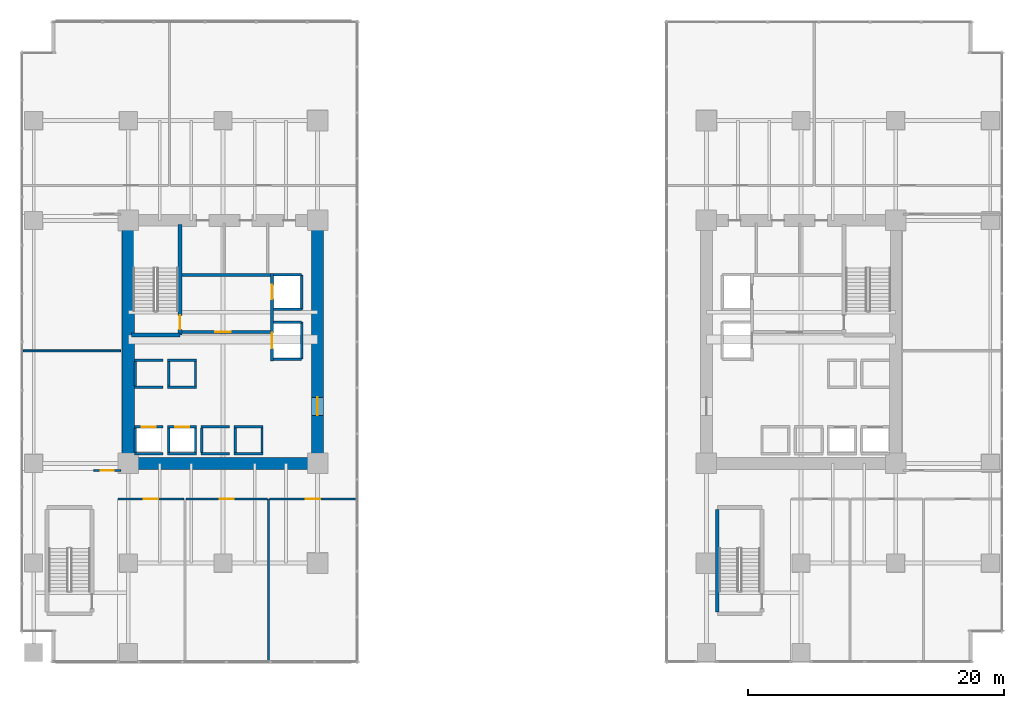
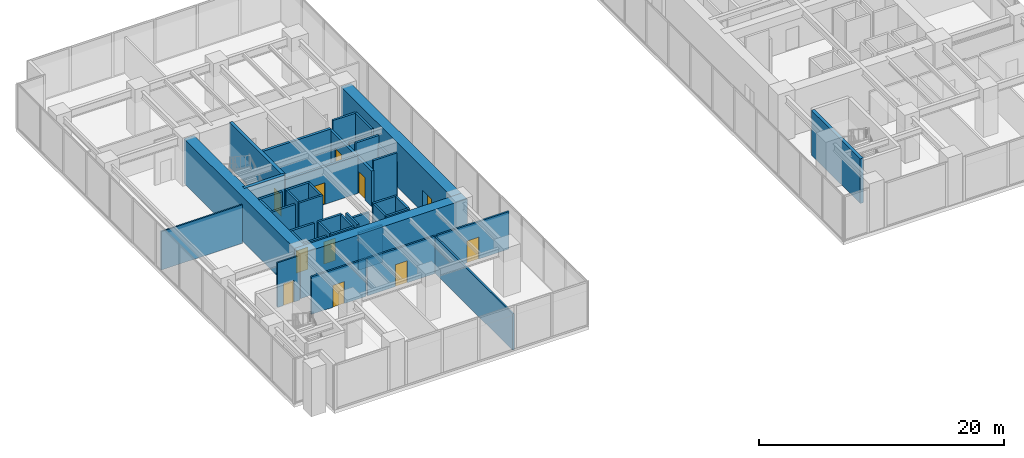
# One storey, part 25 of 33: 42 walls, 11 doors, 11 openings.
"""IFC4 building model written with IfcOpenShell, lengths in metres."""

from ifc_helpers import new_model, si_unit, direction, frame, frame_2d, origin, place, context, subcontext, project, spatial, rectangle, extrude, source, transform, mapped, material, layer, layer_set, type_object, type_shapes, element, fill, save


model = new_model("IFC4")

# Units and contexts
model_context = context("Model", 3, precision=1e-05, world=origin(), true_north=direction((0.0, 1.0)))
body_context = subcontext(model_context, "Body", "Model", "MODEL_VIEW")
ifc_project = project(units=[si_unit("LENGTHUNIT", "METRE"), si_unit("AREAUNIT", "SQUARE_METRE"), si_unit("VOLUMEUNIT", "CUBIC_METRE"), si_unit("PLANEANGLEUNIT", "RADIAN"), si_unit("MASSUNIT", "GRAM", prefix="KILO")], contexts=[model_context])

# Site, building, storey
site_placement = place(None, origin())
site = spatial("IfcSite", under=ifc_project, at=site_placement, CompositionType="ELEMENT")
building_placement = place(site_placement, origin())
building = spatial("IfcBuilding", under=site, at=building_placement, Name="Haelvirn Gate Laboratories", CompositionType="ELEMENT")
storey_placement = place(building_placement, frame((0.0, 0.0, 10.199951171875)))
storey = spatial("IfcBuildingStorey", under=building, at=storey_placement, Name="L03", CompositionType="ELEMENT", Elevation=10.199951171875)

# Wall
ifc_material_1 = material(Name="Acoustic mineral-wool gypsum board partition", Category="gypsum")
ifc_layer_1 = layer(ifc_material_1, 0.139892578125, Name="IW-PART-140")
ifc_layer_set_1 = layer_set([ifc_layer_1], Name="Acoustic mineral-wool gypsum board partition")
wall_type_1 = type_object("IfcWallType", Name="IW-PART-140", PredefinedType="PARTITIONING", material=ifc_layer_set_1)
wall_1_placement = place(storey_placement, frame((-0.85009765625, 23.60009765625, 0.0), z_axis=(0.0, 0.0, 1.0), x_axis=(1.0, 0.0, 0.0)))
element("IfcWall", 1, at=wall_1_placement, inside=storey, type_object=wall_type_1, Name="L03 Interior Wall IW-L03-PODOUT-MID-W", PredefinedType="PARTITIONING", context=body_context, shape_type="SweptSolid", body=[
    extrude(rectangle(XDim=7.650146484375, YDim=0.139892578125, at=frame_2d((3.8251953125, 0.0))), origin(), (0.0, 0.0, 1.0), 3.8349609375),
])

# Wall, opening, door
wall_2_placement = place(storey_placement, frame((4.699951171875, 14.25, 0.0), z_axis=(0.0, 0.0, 1.0), x_axis=(1.0, 0.0, 0.0)))
wall_2 = element("IfcWall", 2, at=wall_2_placement, inside=storey, type_object=wall_type_1, Name="L03 Interior Wall IW-L03-PODOUTW-W-S", PredefinedType="PARTITIONING", context=body_context, shape_type="SweptSolid", body=[
    extrude(rectangle(XDim=2.10009765625, YDim=0.139892578125, at=frame_2d((1.050048828125, 0.0))), origin(), (0.0, 0.0, 1.0), 4.449951171875),
])
opening_1_placement = place(wall_2_placement, frame((0.550048828125, 0.0, 0.0)))
opening_1 = element("IfcOpeningElement", 3, at=opening_1_placement, cuts=wall_2, Name="Opening D2", PredefinedType="OPENING", context=body_context, shape_type="SweptSolid", body=[
    extrude(rectangle(XDim=1.0, YDim=2.14990234375, at=frame_2d((0.5, 1.074951171875))), frame((0.0, 0.080078125, 0.0), z_axis=(0.0, -1.0, 0.0), x_axis=(1.0, 0.0, 0.0)), (0.0, 0.0, 1.0), 0.159912109375),
])
ifc_material_2 = material(Name="Acoustic solid-core timber suite door", Category="wood")
door_type_1 = type_object("IfcDoorType", Name="DR-INT-1000", OperationType="NOTDEFINED", PredefinedType="DOOR", material=ifc_material_2)
shared_shape_1 = source(origin(), body_context, "Body", "SweptSolid", [
    extrude(rectangle(XDim=1.0, YDim=2.14990234375, at=frame_2d((0.5, 1.074951171875))), frame((0.0, 0.02490234375, 0.0), z_axis=(0.0, -1.0, 0.0), x_axis=(1.0, 0.0, 0.0)), (0.0, 0.0, 1.0), 0.050048828125),
])
type_shapes(door_type_1, [shared_shape_1])
door_1_placement = place(opening_1_placement, origin())
door_1 = element("IfcDoor", 4, at=door_1_placement, inside=storey, type_object=door_type_1, Name="L03 Researcher Break Pantry Outer Wing Door", OperationType="SINGLE_SWING_LEFT", OverallHeight=2.14990234375, OverallWidth=1.0, PredefinedType="DOOR", context=body_context, shape_type="MappedRepresentation", body=[
    mapped(shared_shape_1, transform((0.0, 0.0, 0.0), scale=1.0)),
])
fill(opening_1, door_1)

ifc_material_3 = material(Name="Moisture-resistant gypsum laboratory partition", Category="gypsum")
ifc_layer_2 = layer(ifc_material_3, 0.1650390625, Name="IW-PART-160")
ifc_layer_set_2 = layer_set([ifc_layer_2], Name="Moisture-resistant gypsum laboratory partition")
wall_type_2 = type_object("IfcWallType", Name="IW-PART-160", PredefinedType="PARTITIONING", material=ifc_layer_set_2)
wall_3_placement = place(storey_placement, frame((6.60009765625, 12.02001953125, 0.0), z_axis=(0.0, 0.0, 1.0), x_axis=(1.0, 0.0, 0.0)))
wall_3 = element("IfcWall", 5, at=wall_3_placement, inside=storey, type_object=wall_type_2, Name="L03 Interior Wall IW-L03-PODS-W-1", PredefinedType="PARTITIONING", context=body_context, shape_type="SweptSolid", body=[
    extrude(rectangle(XDim=5.141845703125, YDim=0.1650390625, at=frame_2d((2.57080078125, 0.0))), origin(), (0.0, 0.0, 1.0), 3.735107421875),
])
opening_2_placement = place(wall_3_placement, frame((2.02099609375, 0.0, 0.0)))
opening_2 = element("IfcOpeningElement", 6, at=opening_2_placement, cuts=wall_3, Name="Opening D1", PredefinedType="OPENING", context=body_context, shape_type="SweptSolid", body=[
    extrude(rectangle(XDim=1.10009765625, YDim=2.179931640625, at=frame_2d((0.550048828125, 1.08984375))), frame((0.0, 0.092529296875, 0.0), z_axis=(0.0, -1.0, 0.0), x_axis=(1.0, 0.0, 0.0)), (0.0, 0.0, 1.0), 0.18505859375),
])
ifc_material_4 = material(Name="Vision-panel acoustic solid-core timber lab door", Category="wood")
door_type_2 = type_object("IfcDoorType", Name="DR-LAB-1100", OperationType="NOTDEFINED", PredefinedType="DOOR", material=ifc_material_4)
shared_shape_2 = source(origin(), body_context, "Body", "SweptSolid", [
    extrude(rectangle(XDim=1.10009765625, YDim=2.179931640625, at=frame_2d((0.550048828125, 1.08984375))), frame((0.0, 0.02490234375, 0.0), z_axis=(0.0, -1.0, 0.0), x_axis=(1.0, 0.0, 0.0)), (0.0, 0.0, 1.0), 0.050048828125),
])
type_shapes(door_type_2, [shared_shape_2])
door_2_placement = place(opening_2_placement, origin())
door_2 = element("IfcDoor", 7, at=door_2_placement, inside=storey, type_object=door_type_2, Name="L03 Research Seminar & Review Room Door", OperationType="SINGLE_SWING_LEFT", OverallHeight=2.179931640625, OverallWidth=1.10009765625, PredefinedType="DOOR", context=body_context, shape_type="MappedRepresentation", body=[
    mapped(shared_shape_2, transform((0.0, 0.0, 0.0), scale=1.0)),
])
fill(opening_2, door_2)

wall_4_placement = place(storey_placement, frame((11.902099609375, 12.02001953125, 0.0), z_axis=(0.0, 0.0, 1.0), x_axis=(1.0, 0.0, 0.0)))
wall_4 = element("IfcWall", 8, at=wall_4_placement, inside=storey, type_object=wall_type_2, Name="L03 Interior Wall IW-L03-PODS-W-2", PredefinedType="PARTITIONING", context=body_context, shape_type="SweptSolid", body=[
    extrude(rectangle(XDim=6.367431640625, YDim=0.1650390625, at=frame_2d((3.18359375, 0.0))), origin(), (0.0, 0.0, 1.0), 3.735107421875),
])
opening_3_placement = place(wall_4_placement, frame((2.6337890625, 0.0, 0.0)))
opening_3 = element("IfcOpeningElement", 9, at=opening_3_placement, cuts=wall_4, Name="Opening D1", PredefinedType="OPENING", context=body_context, shape_type="SweptSolid", body=[
    extrude(rectangle(XDim=1.10009765625, YDim=2.179931640625, at=frame_2d((0.550048828125, 1.08984375))), frame((0.0, 0.092529296875, 0.0), z_axis=(0.0, -1.0, 0.0), x_axis=(1.0, 0.0, 0.0)), (0.0, 0.0, 1.0), 0.18505859375),
])
door_3_placement = place(opening_3_placement, origin())
door_3 = element("IfcDoor", 10, at=door_3_placement, inside=storey, type_object=door_type_2, Name="L03 Cryo-Preservation Bio-Repository Laboratory Door", OperationType="SINGLE_SWING_RIGHT", OverallHeight=2.179931640625, OverallWidth=1.10009765625, PredefinedType="DOOR", context=body_context, shape_type="MappedRepresentation", body=[
    mapped(shared_shape_2, transform((0.0, 0.0, 0.0), scale=1.0)),
])
fill(opening_3, door_3)

# Wall
wall_5_placement = place(storey_placement, frame((18.349609375, -0.68994140625, 0.0), z_axis=(0.0, 0.0, 1.0), x_axis=(0.0, 1.0, 0.0)))
element("IfcWall", 11, at=wall_5_placement, inside=storey, type_object=wall_type_2, Name="L03 Interior Wall IW-L03-PODSDIV-W-2", PredefinedType="PARTITIONING", context=body_context, shape_type="SweptSolid", body=[
    extrude(rectangle(XDim=12.7099609375, YDim=0.1650390625, at=frame_2d((6.35498046875, 0.0))), origin(), (0.0, 0.0, 1.0), 3.635009765625),
])

# Wall, opening, door
wall_6_placement = place(storey_placement, frame((18.429443359375, 12.02001953125, 0.0), z_axis=(0.0, 0.0, 1.0), x_axis=(1.0, 0.0, 0.0)))
wall_6 = element("IfcWall", 12, at=wall_6_placement, inside=storey, type_object=wall_type_2, Name="L03 Interior Wall IW-L03-PODS-W-3", PredefinedType="PARTITIONING", context=body_context, shape_type="SweptSolid", body=[
    extrude(rectangle(XDim=6.820556640625, YDim=0.1650390625, at=frame_2d((3.41015625, 0.0))), origin(), (0.0, 0.0, 1.0), 3.735107421875),
])
opening_4_placement = place(wall_6_placement, frame((2.8603515625, 0.0, 0.0)))
opening_4 = element("IfcOpeningElement", 13, at=opening_4_placement, cuts=wall_6, Name="Opening D1", PredefinedType="OPENING", context=body_context, shape_type="SweptSolid", body=[
    extrude(rectangle(XDim=1.10009765625, YDim=2.179931640625, at=frame_2d((0.550048828125, 1.08984375))), frame((0.0, 0.092529296875, 0.0), z_axis=(0.0, -1.0, 0.0), x_axis=(1.0, 0.0, 0.0)), (0.0, 0.0, 1.0), 0.18505859375),
])
door_4_placement = place(opening_4_placement, origin())
door_4 = element("IfcDoor", 14, at=door_4_placement, inside=storey, type_object=door_type_2, Name="L03 Researcher Break Pantry Door", OperationType="SINGLE_SWING_LEFT", OverallHeight=2.179931640625, OverallWidth=1.10009765625, PredefinedType="DOOR", context=body_context, shape_type="MappedRepresentation", body=[
    mapped(shared_shape_2, transform((0.0, 0.0, 0.0), scale=1.0)),
])
fill(opening_4, door_4)

# Walls
ifc_material_5 = material(Name="Concrete C40/50", Category="concrete")
ifc_layer_3 = layer(ifc_material_5, 0.179931640625, Name="IW-SHAFT-180")
ifc_layer_set_3 = layer_set([ifc_layer_3], Name="Concrete C40/50")
wall_type_3 = type_object("IfcWallType", Name="IW-SHAFT-180", PredefinedType="SOLIDWALL", material=ifc_layer_set_3)
for number, where, z_axis, x_axis, name in (
    (15, (7.949951171875, 15.64990234375, 0.0), (0.0, 0.0, 1.0), (0.0, 1.0, 0.0), "L03 Interior Wall IW-L03-PL1-SD"),
    (16, (10.550048828125, 15.64990234375, 0.0), (0.0, 0.0, 1.0), (0.0, 1.0, 0.0), "L03 Interior Wall IW-L03-PL2-SD"),
    (17, (12.64990234375, 15.64990234375, 0.0), (0.0, 0.0, 1.0), (0.0, 1.0, 0.0), "L03 Interior Wall IW-L03-PL2-SDE"),
    (18, (13.14990234375, 15.64990234375, 0.0), (0.0, 0.0, 1.0), (0.0, 1.0, 0.0), "L03 Interior Wall IW-L03-PL5-SD"),
    (19, (15.75, 15.64990234375, 0.0), (0.0, 0.0, 1.0), (0.0, 1.0, 0.0), "L03 Interior Wall IW-L03-PL6-SD"),
    (20, (17.85009765625, 15.64990234375, 0.0), (0.0, 0.0, 1.0), (0.0, 1.0, 0.0), "L03 Interior Wall IW-L03-PL6-SDE"),
):
    element("IfcWall", number, at=place(storey_placement, frame(where, z_axis=z_axis, x_axis=x_axis)), inside=storey, type_object=wall_type_3, Name=name, PredefinedType="SOLIDWALL", context=body_context, shape_type="SweptSolid", body=[
        extrude(rectangle(XDim=1.900146484375, YDim=0.179931640625, at=frame_2d((0.9501953125, 0.0))), origin(), (0.0, 0.0, 1.0), 4.449951171875),
    ])
for number, where, z_axis, x_axis, name in (
    (21, (7.949951171875, 20.85009765625, 0.0), (0.0, 0.0, 1.0), (0.0, 1.0, 0.0), "L03 Interior Wall IW-L03-PL9-SD"),
    (22, (10.550048828125, 20.85009765625, 0.0), (0.0, 0.0, 1.0), (0.0, 1.0, 0.0), "L03 Interior Wall IW-L03-PL10-SD"),
    (23, (12.64990234375, 20.85009765625, 0.0), (0.0, 0.0, 1.0), (0.0, 1.0, 0.0), "L03 Interior Wall IW-L03-PL10-SDE"),
):
    element("IfcWall", number, at=place(storey_placement, frame(where, z_axis=z_axis, x_axis=x_axis)), inside=storey, type_object=wall_type_3, Name=name, PredefinedType="SOLIDWALL", context=body_context, shape_type="SweptSolid", body=[
        extrude(rectangle(XDim=1.89990234375, YDim=0.179931640625, at=frame_2d((0.949951171875, 0.0))), origin(), (0.0, 0.0, 1.0), 4.449951171875),
    ])

# Wall, opening, door
ifc_layer_4 = layer(ifc_material_5, 0.199951171875, Name="IW-SHAFT-200")
ifc_layer_set_4 = layer_set([ifc_layer_4], Name="Concrete C40/50")
wall_type_4 = type_object("IfcWallType", Name="IW-SHAFT-200", PredefinedType="SOLIDWALL", material=ifc_layer_set_4)
wall_7_placement = place(storey_placement, frame((7.8701171875, 17.64990234375, 0.0), z_axis=(0.0, 0.0, 1.0), x_axis=(1.0, 0.0, 0.0)))
wall_7 = element("IfcWall", 24, at=wall_7_placement, inside=storey, type_object=wall_type_4, Name="L03 Interior Wall IW-L03-PL1-FR", PredefinedType="SOLIDWALL", context=body_context, shape_type="SweptSolid", body=[
    extrude(rectangle(XDim=2.259765625, YDim=0.199951171875, at=frame_2d((1.1298828125, 0.0))), origin(), (0.0, 0.0, 1.0), 4.449951171875),
])
opening_5_placement = place(wall_7_placement, frame((0.580078125, 0.0, 0.0)))
opening_5 = element("IfcOpeningElement", 25, at=opening_5_placement, cuts=wall_7, Name="Opening LD2", PredefinedType="OPENING", context=body_context, shape_type="SweptSolid", body=[
    extrude(rectangle(XDim=1.10009765625, YDim=2.219970703125, at=frame_2d((0.550048828125, 1.10986328125))), frame((0.0, 0.10986328125, 0.0), z_axis=(0.0, -1.0, 0.0), x_axis=(1.0, 0.0, 0.0)), (0.0, 0.0, 1.0), 0.219970703125),
])
ifc_material_6 = material(Name="Bronze stainless 316L sliding lift landing door")
door_type_3 = type_object("IfcDoorType", Name="DR-LD-1100", OperationType="NOTDEFINED", PredefinedType="USERDEFINED", material=ifc_material_6)
shared_shape_3 = source(origin(), body_context, "Body", "SweptSolid", [
    extrude(rectangle(XDim=1.10009765625, YDim=2.219970703125, at=frame_2d((0.550048828125, 1.10986328125))), frame((0.0, 0.02490234375, 0.0), z_axis=(0.0, -1.0, 0.0), x_axis=(1.0, 0.0, 0.0)), (0.0, 0.0, 1.0), 0.050048828125),
])
type_shapes(door_type_3, [shared_shape_3])
door_5_placement = place(opening_5_placement, origin())
door_5 = element("IfcDoor", 26, at=door_5_placement, inside=storey, type_object=door_type_3, Name="L03 Passenger Lift PL1 Landing Door", ObjectType="LANDING_DOOR", OperationType="SLIDING_TO_LEFT", OverallHeight=2.219970703125, OverallWidth=1.10009765625, PredefinedType="USERDEFINED", context=body_context, shape_type="MappedRepresentation", body=[
    mapped(shared_shape_3, transform((0.0, 0.0, 0.0), scale=1.0)),
])
fill(opening_5, door_5)

# Wall
wall_8_placement = place(storey_placement, frame((7.8701171875, 15.550048828125, 0.0), z_axis=(0.0, 0.0, 1.0), x_axis=(1.0, 0.0, 0.0)))
element("IfcWall", 27, at=wall_8_placement, inside=storey, type_object=wall_type_4, Name="L03 Interior Wall IW-L03-PL1-BK", PredefinedType="SOLIDWALL", context=body_context, shape_type="SweptSolid", body=[
    extrude(rectangle(XDim=2.259765625, YDim=0.199951171875, at=frame_2d((1.1298828125, 0.0))), origin(), (0.0, 0.0, 1.0), 4.449951171875),
])

# Wall, opening, door
wall_9_placement = place(storey_placement, frame((10.469970703125, 17.64990234375, 0.0), z_axis=(0.0, 0.0, 1.0), x_axis=(1.0, 0.0, 0.0)))
wall_9 = element("IfcWall", 28, at=wall_9_placement, inside=storey, type_object=wall_type_4, Name="L03 Interior Wall IW-L03-PL2-FR", PredefinedType="SOLIDWALL", context=body_context, shape_type="SweptSolid", body=[
    extrude(rectangle(XDim=2.260009765625, YDim=0.199951171875, at=frame_2d((1.1298828125, 0.0))), origin(), (0.0, 0.0, 1.0), 4.449951171875),
])
opening_6_placement = place(wall_9_placement, frame((0.580078125, 0.0, 0.0)))
opening_6 = element("IfcOpeningElement", 29, at=opening_6_placement, cuts=wall_9, Name="Opening LD2", PredefinedType="OPENING", context=body_context, shape_type="SweptSolid", body=[
    extrude(rectangle(XDim=1.10009765625, YDim=2.219970703125, at=frame_2d((0.550048828125, 1.10986328125))), frame((0.0, 0.10986328125, 0.0), z_axis=(0.0, -1.0, 0.0), x_axis=(1.0, 0.0, 0.0)), (0.0, 0.0, 1.0), 0.219970703125),
])
door_6_placement = place(opening_6_placement, origin())
door_6 = element("IfcDoor", 30, at=door_6_placement, inside=storey, type_object=door_type_3, Name="L03 Passenger Lift PL2 Landing Door", ObjectType="LANDING_DOOR", OperationType="SLIDING_TO_RIGHT", OverallHeight=2.219970703125, OverallWidth=1.10009765625, PredefinedType="USERDEFINED", context=body_context, shape_type="MappedRepresentation", body=[
    mapped(shared_shape_3, transform((0.0, 0.0, 0.0), scale=1.0)),
])
fill(opening_6, door_6)

# Walls
wall_10_placement = place(storey_placement, frame((10.469970703125, 15.550048828125, 0.0), z_axis=(0.0, 0.0, 1.0), x_axis=(1.0, 0.0, 0.0)))
element("IfcWall", 31, at=wall_10_placement, inside=storey, type_object=wall_type_4, Name="L03 Interior Wall IW-L03-PL2-BK", PredefinedType="SOLIDWALL", context=body_context, shape_type="SweptSolid", body=[
    extrude(rectangle(XDim=2.260009765625, YDim=0.199951171875, at=frame_2d((1.1298828125, 0.0))), origin(), (0.0, 0.0, 1.0), 4.449951171875),
])
for number, where, z_axis, x_axis, name in (
    (32, (13.070068359375, 17.64990234375, 0.0), (0.0, 0.0, 1.0), (1.0, 0.0, 0.0), "L03 Interior Wall IW-L03-PL5-FR"),
    (33, (13.070068359375, 15.550048828125, 0.0), (0.0, 0.0, 1.0), (1.0, 0.0, 0.0), "L03 Interior Wall IW-L03-PL5-BK"),
):
    element("IfcWall", number, at=place(storey_placement, frame(where, z_axis=z_axis, x_axis=x_axis)), inside=storey, type_object=wall_type_4, Name=name, PredefinedType="SOLIDWALL", context=body_context, shape_type="SweptSolid", body=[
        extrude(rectangle(XDim=2.260009765625, YDim=0.199951171875, at=frame_2d((1.1298828125, 0.0))), origin(), (0.0, 0.0, 1.0), 3.735107421875),
    ])
for number, where, z_axis, x_axis, name in (
    (34, (15.669921875, 17.64990234375, 0.0), (0.0, 0.0, 1.0), (1.0, 0.0, 0.0), "L03 Interior Wall IW-L03-PL6-FR"),
    (35, (15.669921875, 15.550048828125, 0.0), (0.0, 0.0, 1.0), (1.0, 0.0, 0.0), "L03 Interior Wall IW-L03-PL6-BK"),
):
    element("IfcWall", number, at=place(storey_placement, frame(where, z_axis=z_axis, x_axis=x_axis)), inside=storey, type_object=wall_type_4, Name=name, PredefinedType="SOLIDWALL", context=body_context, shape_type="SweptSolid", body=[
        extrude(rectangle(XDim=2.260009765625, YDim=0.199951171875, at=frame_2d((1.1298828125, 0.0))), origin(), (0.0, 0.0, 1.0), 4.449951171875),
    ])
for number, where, z_axis, x_axis, name in (
    (36, (7.8701171875, 20.75, 0.0), (0.0, 0.0, 1.0), (1.0, 0.0, 0.0), "L03 Interior Wall IW-L03-PL9-FR"),
    (37, (7.8701171875, 22.85009765625, 0.0), (0.0, 0.0, 1.0), (1.0, 0.0, 0.0), "L03 Interior Wall IW-L03-PL9-BK"),
):
    element("IfcWall", number, at=place(storey_placement, frame(where, z_axis=z_axis, x_axis=x_axis)), inside=storey, type_object=wall_type_4, Name=name, PredefinedType="SOLIDWALL", context=body_context, shape_type="SweptSolid", body=[
        extrude(rectangle(XDim=2.259765625, YDim=0.199951171875, at=frame_2d((1.1298828125, 0.0))), origin(), (0.0, 0.0, 1.0), 4.449951171875),
    ])
for number, where, z_axis, x_axis, name in (
    (38, (10.469970703125, 20.75, 0.0), (0.0, 0.0, 1.0), (1.0, 0.0, 0.0), "L03 Interior Wall IW-L03-PL10-FR"),
    (39, (10.469970703125, 22.85009765625, 0.0), (0.0, 0.0, 1.0), (1.0, 0.0, 0.0), "L03 Interior Wall IW-L03-PL10-BK"),
):
    element("IfcWall", number, at=place(storey_placement, frame(where, z_axis=z_axis, x_axis=x_axis)), inside=storey, type_object=wall_type_4, Name=name, PredefinedType="SOLIDWALL", context=body_context, shape_type="SweptSolid", body=[
        extrude(rectangle(XDim=2.260009765625, YDim=0.199951171875, at=frame_2d((1.1298828125, 0.0))), origin(), (0.0, 0.0, 1.0), 4.449951171875),
    ])
wall_11_placement = place(storey_placement, frame((20.949951171875, 26.85009765625, 0.0), z_axis=(0.0, 0.0, 1.0), x_axis=(0.0, 1.0, 0.0)))
element("IfcWall", 40, at=wall_11_placement, inside=storey, type_object=wall_type_4, Name="L03 Interior Wall IW-L03-FL1-BK", PredefinedType="SOLIDWALL", context=body_context, shape_type="SweptSolid", body=[
    extrude(rectangle(XDim=2.699951171875, YDim=0.199951171875, at=frame_2d((1.35009765625, 0.0))), origin(), (0.0, 0.0, 1.0), 4.449951171875),
])
wall_12_placement = place(storey_placement, frame((18.760009765625, 29.550048828125, 0.0), z_axis=(0.0, 0.0, 1.0), x_axis=(1.0, 0.0, 0.0)))
element("IfcWall", 41, at=wall_12_placement, inside=storey, type_object=wall_type_4, Name="L03 Interior Wall IW-L03-FL1-N", PredefinedType="SOLIDWALL", context=body_context, shape_type="SweptSolid", body=[
    extrude(rectangle(XDim=2.18994140625, YDim=0.199951171875, at=frame_2d((1.094970703125, 0.0))), origin(), (0.0, 0.0, 1.0), 4.449951171875),
])
wall_13_placement = place(storey_placement, frame((18.760009765625, 26.85009765625, 0.0), z_axis=(0.0, 0.0, 1.0), x_axis=(1.0, 0.0, 0.0)))
element("IfcWall", 42, at=wall_13_placement, inside=storey, type_object=wall_type_4, Name="L03 Interior Wall IW-L03-FL1-S", PredefinedType="SOLIDWALL", context=body_context, shape_type="SweptSolid", body=[
    extrude(rectangle(XDim=2.18994140625, YDim=0.199951171875, at=frame_2d((1.094970703125, 0.0))), origin(), (0.0, 0.0, 1.0), 3.84716796875),
])
wall_14_placement = place(storey_placement, frame((20.949951171875, 22.949951171875, 0.0), z_axis=(0.0, 0.0, 1.0), x_axis=(0.0, 1.0, 0.0)))
element("IfcWall", 43, at=wall_14_placement, inside=storey, type_object=wall_type_4, Name="L03 Interior Wall IW-L03-SL1-BK", PredefinedType="SOLIDWALL", context=body_context, shape_type="SweptSolid", body=[
    extrude(rectangle(XDim=2.900146484375, YDim=0.199951171875, at=frame_2d((1.4501953125, 0.0))), origin(), (0.0, 0.0, 1.0), 3.53515625),
])
for number, where, z_axis, x_axis, name in (
    (44, (18.760009765625, 25.85009765625, 0.0), (0.0, 0.0, 1.0), (1.0, 0.0, 0.0), "L03 Interior Wall IW-L03-SL1-N"),
    (45, (18.760009765625, 22.949951171875, 0.0), (0.0, 0.0, 1.0), (1.0, 0.0, 0.0), "L03 Interior Wall IW-L03-SL1-S"),
):
    element("IfcWall", number, at=place(storey_placement, frame(where, z_axis=z_axis, x_axis=x_axis)), inside=storey, type_object=wall_type_4, Name=name, PredefinedType="SOLIDWALL", context=body_context, shape_type="SweptSolid", body=[
        extrude(rectangle(XDim=2.18994140625, YDim=0.199951171875, at=frame_2d((1.094970703125, 0.0))), origin(), (0.0, 0.0, 1.0), 4.449951171875),
    ])

# Wall, opening, door
ifc_layer_5 = layer(ifc_material_5, 0.239990234375, Name="IW-SHAFT-240")
ifc_layer_set_5 = layer_set([ifc_layer_5], Name="Concrete C40/50")
wall_type_5 = type_object("IfcWallType", Name="IW-SHAFT-240", PredefinedType="SOLIDWALL", material=ifc_layer_set_5)
wall_15_placement = place(storey_placement, frame((11.60009765625, 25.080078125, 0.0), z_axis=(0.0, 0.0, 1.0), x_axis=(1.0, 0.0, 0.0)))
wall_15 = element("IfcWall", 46, at=wall_15_placement, inside=storey, type_object=wall_type_5, Name="L03 Interior Wall IW-L03-W-FF-S", PredefinedType="SOLIDWALL", context=body_context, shape_type="SweptSolid", body=[
    extrude(rectangle(XDim=6.919921875, YDim=0.239990234375, at=frame_2d((3.4599609375, 0.0))), origin(), (0.0, 0.0, 1.0), 3.735107421875),
])
opening_7_placement = place(wall_15_placement, frame((2.60009765625, 0.0, 0.0)))
opening_7 = element("IfcOpeningElement", 47, at=opening_7_placement, cuts=wall_15, Name="Opening FD2", PredefinedType="OPENING", context=body_context, shape_type="SweptSolid", body=[
    extrude(rectangle(XDim=1.199951171875, YDim=2.159912109375, at=frame_2d((0.60009765625, 1.080078125))), frame((0.0, 0.1298828125, 0.0), z_axis=(0.0, -1.0, 0.0), x_axis=(1.0, 0.0, 0.0)), (0.0, 0.0, 1.0), 0.260009765625),
])
ifc_material_7 = material(Name="Fire-rated steel SM355 compartment door", Category="steel")
door_type_4 = type_object("IfcDoorType", Name="DR-FD-1200", OperationType="NOTDEFINED", PredefinedType="DOOR", material=ifc_material_7)
shared_shape_4 = source(origin(), body_context, "Body", "SweptSolid", [
    extrude(rectangle(XDim=1.199951171875, YDim=2.159912109375, at=frame_2d((0.60009765625, 1.080078125))), frame((0.0, 0.02490234375, 0.0), z_axis=(0.0, -1.0, 0.0), x_axis=(1.0, 0.0, 0.0)), (0.0, 0.0, 1.0), 0.050048828125),
])
type_shapes(door_type_4, [shared_shape_4])
door_7_placement = place(opening_7_placement, origin())
door_7 = element("IfcDoor", 48, at=door_7_placement, inside=storey, type_object=door_type_4, Name="L03 West Firefighting Lobby Door", OperationType="SINGLE_SWING_RIGHT", OverallHeight=2.159912109375, OverallWidth=1.199951171875, PredefinedType="DOOR", context=body_context, shape_type="MappedRepresentation", body=[
    mapped(shared_shape_4, transform((0.0, 0.0, 0.0), scale=1.0)),
])
fill(opening_7, door_7)

# Wall
wall_16_placement = place(storey_placement, frame((11.60009765625, 29.52001953125, 0.0), z_axis=(0.0, 0.0, 1.0), x_axis=(1.0, 0.0, 0.0)))
element("IfcWall", 49, at=wall_16_placement, inside=storey, type_object=wall_type_5, Name="L03 Interior Wall IW-L03-W-FF-N", PredefinedType="SOLIDWALL", context=body_context, shape_type="SweptSolid", body=[
    extrude(rectangle(XDim=6.919921875, YDim=0.239990234375, at=frame_2d((3.4599609375, 0.0))), origin(), (0.0, 0.0, 1.0), 3.735107421875),
])

# Wall, openings, doors
wall_17_placement = place(storey_placement, frame((18.639892578125, 22.800048828125, 0.0), z_axis=(0.0, 0.0, 1.0), x_axis=(0.0, 1.0, 0.0)))
wall_17 = element("IfcWall", 50, at=wall_17_placement, inside=storey, type_object=wall_type_5, Name="L03 Interior Wall IW-L03-W-FF-E", PredefinedType="SOLIDWALL", context=body_context, shape_type="SweptSolid", body=[
    extrude(rectangle(XDim=6.849853515625, YDim=0.239990234375, at=frame_2d((3.4248046875, 0.0))), origin(), (0.0, 0.0, 1.0), 3.53515625),
])
opening_8_placement = place(wall_17_placement, frame((4.85009765625, 0.0, 0.0)))
opening_8 = element("IfcOpeningElement", 51, at=opening_8_placement, cuts=wall_17, Name="Opening LD2", PredefinedType="OPENING", context=body_context, shape_type="SweptSolid", body=[
    extrude(rectangle(XDim=1.10009765625, YDim=2.219970703125, at=frame_2d((0.550048828125, 1.10986328125))), frame((0.0, 0.1298828125, 0.0), z_axis=(0.0, -1.0, 0.0), x_axis=(1.0, 0.0, 0.0)), (0.0, 0.0, 1.0), 0.260009765625),
])
opening_9_placement = place(wall_17_placement, frame((1.0, 0.0, 0.0)))
opening_9 = element("IfcOpeningElement", 52, at=opening_9_placement, cuts=wall_17, Name="Opening LD1", PredefinedType="OPENING", context=body_context, shape_type="SweptSolid", body=[
    extrude(rectangle(XDim=1.199951171875, YDim=2.219970703125, at=frame_2d((0.60009765625, 1.10986328125))), frame((0.0, 0.1298828125, 0.0), z_axis=(0.0, -1.0, 0.0), x_axis=(1.0, 0.0, 0.0)), (0.0, 0.0, 1.0), 0.260009765625),
])
door_8_placement = place(opening_8_placement, origin())
door_8 = element("IfcDoor", 53, at=door_8_placement, inside=storey, type_object=door_type_3, Name="L03 Firefighting Lift FL1 Landing Door", ObjectType="LANDING_DOOR", OperationType="SLIDING_TO_LEFT", OverallHeight=2.219970703125, OverallWidth=1.10009765625, PredefinedType="USERDEFINED", context=body_context, shape_type="MappedRepresentation", body=[
    mapped(shared_shape_3, transform((0.0, 0.0, 0.0), scale=1.0)),
])
fill(opening_8, door_8)
ifc_material_8 = material(Name="Stainless steel 316L sliding goods landing door", Category="steel")
door_type_5 = type_object("IfcDoorType", Name="DR-LD-1200", OperationType="NOTDEFINED", PredefinedType="USERDEFINED", material=ifc_material_8)
shared_shape_5 = source(origin(), body_context, "Body", "SweptSolid", [
    extrude(rectangle(XDim=1.199951171875, YDim=2.219970703125, at=frame_2d((0.60009765625, 1.10986328125))), frame((0.0, 0.02490234375, 0.0), z_axis=(0.0, -1.0, 0.0), x_axis=(1.0, 0.0, 0.0)), (0.0, 0.0, 1.0), 0.050048828125),
])
type_shapes(door_type_5, [shared_shape_5])
door_9_placement = place(opening_9_placement, origin())
door_9 = element("IfcDoor", 54, at=door_9_placement, inside=storey, type_object=door_type_5, Name="L03 Service Lift SL1 Landing Door", ObjectType="LANDING_DOOR", OperationType="SLIDING_TO_RIGHT", OverallHeight=2.219970703125, OverallWidth=1.199951171875, PredefinedType="USERDEFINED", context=body_context, shape_type="MappedRepresentation", body=[
    mapped(shared_shape_5, transform((0.0, 0.0, 0.0), scale=1.0)),
])
fill(opening_9, door_9)

# Walls
ifc_material_9 = material(Name="Concrete C70/85", Category="concrete")
ifc_layer_6 = layer(ifc_material_9, 0.949951171875, Name="SW-CORE-950")
ifc_layer_set_6 = layer_set([ifc_layer_6], Name="Concrete C70/85")
wall_type_6 = type_object("IfcWallType", Name="SW-CORE-950", PredefinedType="SHEAR", material=ifc_layer_set_6)
wall_18_placement = place(storey_placement, frame((6.925048828125, 14.800048828125, 0.0), z_axis=(0.0, 0.0, 1.0), x_axis=(1.0, 0.0, 0.0)))
element("IfcWall", 55, at=wall_18_placement, inside=storey, type_object=wall_type_6, Name="L03 W Core Shear Wall S", PredefinedType="SHEAR", context=body_context, shape_type="SweptSolid", body=[
    extrude(rectangle(XDim=15.75, YDim=0.949951171875, at=frame_2d((7.875, 0.0))), origin(), (0.0, 0.0, 1.0), 4.449951171875),
])
wall_19_placement = place(storey_placement, frame((7.39990234375, 15.27490234375, 0.0), z_axis=(0.0, 0.0, 1.0), x_axis=(0.0, 1.0, 0.0)))
element("IfcWall", 56, at=wall_19_placement, inside=storey, type_object=wall_type_6, Name="L03 W Core Shear Wall W", PredefinedType="SHEAR", context=body_context, shape_type="SweptSolid", body=[
    extrude(rectangle(XDim=18.050048828125, YDim=0.949951171875, at=frame_2d((9.02490234375, 0.0))), origin(), (0.0, 0.0, 1.0), 4.449951171875),
])

# Wall, opening, door
wall_20_placement = place(storey_placement, frame((22.199951171875, 15.27490234375, 0.0), z_axis=(0.0, 0.0, 1.0), x_axis=(0.0, 1.0, 0.0)))
wall_20 = element("IfcWall", 57, at=wall_20_placement, inside=storey, type_object=wall_type_6, Name="L03 W Core Shear Wall E", PredefinedType="SHEAR", context=body_context, shape_type="SweptSolid", body=[
    extrude(rectangle(XDim=18.050048828125, YDim=0.949951171875, at=frame_2d((9.02490234375, 0.0))), origin(), (0.0, 0.0, 1.0), 4.449951171875),
])
opening_10_placement = place(wall_20_placement, frame((3.27490234375, 0.0, 0.0)))
opening_10 = element("IfcOpeningElement", 58, at=opening_10_placement, cuts=wall_20, Name="Opening FD1", PredefinedType="OPENING", context=body_context, shape_type="SweptSolid", body=[
    extrude(rectangle(XDim=1.419921875, YDim=2.199951171875, at=frame_2d((0.7099609375, 1.10009765625))), frame((0.0, 0.48486328125, 0.0), z_axis=(0.0, -1.0, 0.0), x_axis=(1.0, 0.0, 0.0)), (0.0, 0.0, 1.0), 0.969970703125),
])
ifc_material_10 = material(Name="Fire-rated double steel SM355 lobby door", Category="steel")
door_type_6 = type_object("IfcDoorType", Name="DR-FD-1400", OperationType="NOTDEFINED", PredefinedType="DOOR", material=ifc_material_10)
shared_shape_6 = source(origin(), body_context, "Body", "SweptSolid", [
    extrude(rectangle(XDim=1.419921875, YDim=2.199951171875, at=frame_2d((0.7099609375, 1.10009765625))), frame((0.0, 0.02490234375, 0.0), z_axis=(0.0, -1.0, 0.0), x_axis=(1.0, 0.0, 0.0)), (0.0, 0.0, 1.0), 0.050048828125),
])
type_shapes(door_type_6, [shared_shape_6])
door_10_placement = place(opening_10_placement, origin())
door_10 = element("IfcDoor", 59, at=door_10_placement, inside=storey, type_object=door_type_6, Name="L03 West Core Lift Lobby Fire Door", OperationType="DOUBLE_DOOR_SINGLE_SWING", OverallHeight=2.199951171875, OverallWidth=1.419921875, PredefinedType="DOOR", context=body_context, shape_type="MappedRepresentation", body=[
    mapped(shared_shape_6, transform((0.0, 0.0, 0.0), scale=1.0)),
])
fill(opening_10, door_10)

ifc_material_11 = material(Name="Concrete C50/60", Category="concrete")
ifc_layer_7 = layer(ifc_material_11, 0.300048828125, Name="SW-STAIR-300")
ifc_layer_set_7 = layer_set([ifc_layer_7], Name="Concrete C50/60")
wall_type_7 = type_object("IfcWallType", Name="SW-STAIR-300", PredefinedType="SHEAR", material=ifc_layer_set_7)
wall_21_placement = place(storey_placement, frame((11.449951171875, 24.85009765625, 0.0), z_axis=(0.0, 0.0, 1.0), x_axis=(0.0, 1.0, 0.0)))
wall_21 = element("IfcWall", 60, at=wall_21_placement, inside=storey, type_object=wall_type_7, Name="L03 W Core Stair Shaft Structural Wall IN", PredefinedType="SHEAR", context=body_context, shape_type="SweptSolid", body=[
    extrude(rectangle(XDim=8.6298828125, YDim=0.300048828125, at=frame_2d((4.31494140625, 0.0))), origin(), (0.0, 0.0, 1.0), 4.449951171875),
])
opening_11_placement = place(wall_21_placement, frame((0.419921875, 0.0, 0.0)))
opening_11 = element("IfcOpeningElement", 61, at=opening_11_placement, cuts=wall_21, Name="Opening FD3", PredefinedType="OPENING", context=body_context, shape_type="SweptSolid", body=[
    extrude(rectangle(XDim=1.10009765625, YDim=2.14990234375, at=frame_2d((0.550048828125, 1.074951171875))), frame((0.0, 0.16015625, 0.0), z_axis=(0.0, -1.0, 0.0), x_axis=(1.0, 0.0, 0.0)), (0.0, 0.0, 1.0), 0.320068359375),
])
ifc_material_12 = material(Name="Fire-rated steel SM355 escape stair door", Category="steel")
door_type_7 = type_object("IfcDoorType", Name="DR-FD-1100", OperationType="NOTDEFINED", PredefinedType="DOOR", material=ifc_material_12)
shared_shape_7 = source(origin(), body_context, "Body", "SweptSolid", [
    extrude(rectangle(XDim=1.10009765625, YDim=2.14990234375, at=frame_2d((0.550048828125, 1.074951171875))), frame((0.0, 0.02490234375, 0.0), z_axis=(0.0, -1.0, 0.0), x_axis=(1.0, 0.0, 0.0)), (0.0, 0.0, 1.0), 0.050048828125),
])
type_shapes(door_type_7, [shared_shape_7])
door_11_placement = place(opening_11_placement, origin())
door_11 = element("IfcDoor", 62, at=door_11_placement, inside=storey, type_object=door_type_7, Name="L03 Escape Stair ST1 Fire Door", OperationType="SINGLE_SWING_LEFT", OverallHeight=2.14990234375, OverallWidth=1.10009765625, PredefinedType="DOOR", context=body_context, shape_type="MappedRepresentation", body=[
    mapped(shared_shape_7, transform((0.0, 0.0, 0.0), scale=1.0)),
])
fill(opening_11, door_11)

# Walls
wall_22_placement = place(storey_placement, frame((7.64990234375, 24.85009765625, 0.0), z_axis=(0.0, 0.0, 1.0), x_axis=(1.0, 0.0, 0.0)))
element("IfcWall", 63, at=wall_22_placement, inside=storey, type_object=wall_type_7, Name="L03 W Core Stair Shaft Structural Wall S", PredefinedType="SHEAR", context=body_context, shape_type="SweptSolid", body=[
    extrude(rectangle(XDim=3.800048828125, YDim=0.300048828125, at=frame_2d((1.89990234375, 0.0))), origin(), (0.0, 0.0, 1.0), 4.449951171875),
])
wall_23_placement = place(storey_placement, frame((53.449951171875, 3.199951171875, 0.0), z_axis=(0.0, 0.0, 1.0), x_axis=(0.0, 1.0, 0.0)))
element("IfcWall", 64, at=wall_23_placement, inside=storey, type_object=wall_type_7, Name="L03 Podium Stair ST4 Structural Wall W", PredefinedType="SHEAR", context=body_context, shape_type="SweptSolid", body=[
    extrude(rectangle(XDim=8.0, YDim=0.300048828125, at=frame_2d((4.0, 0.0))), origin(), (0.0, 0.0, 1.0), 4.449951171875),
])

save(model, "model.ifc")
